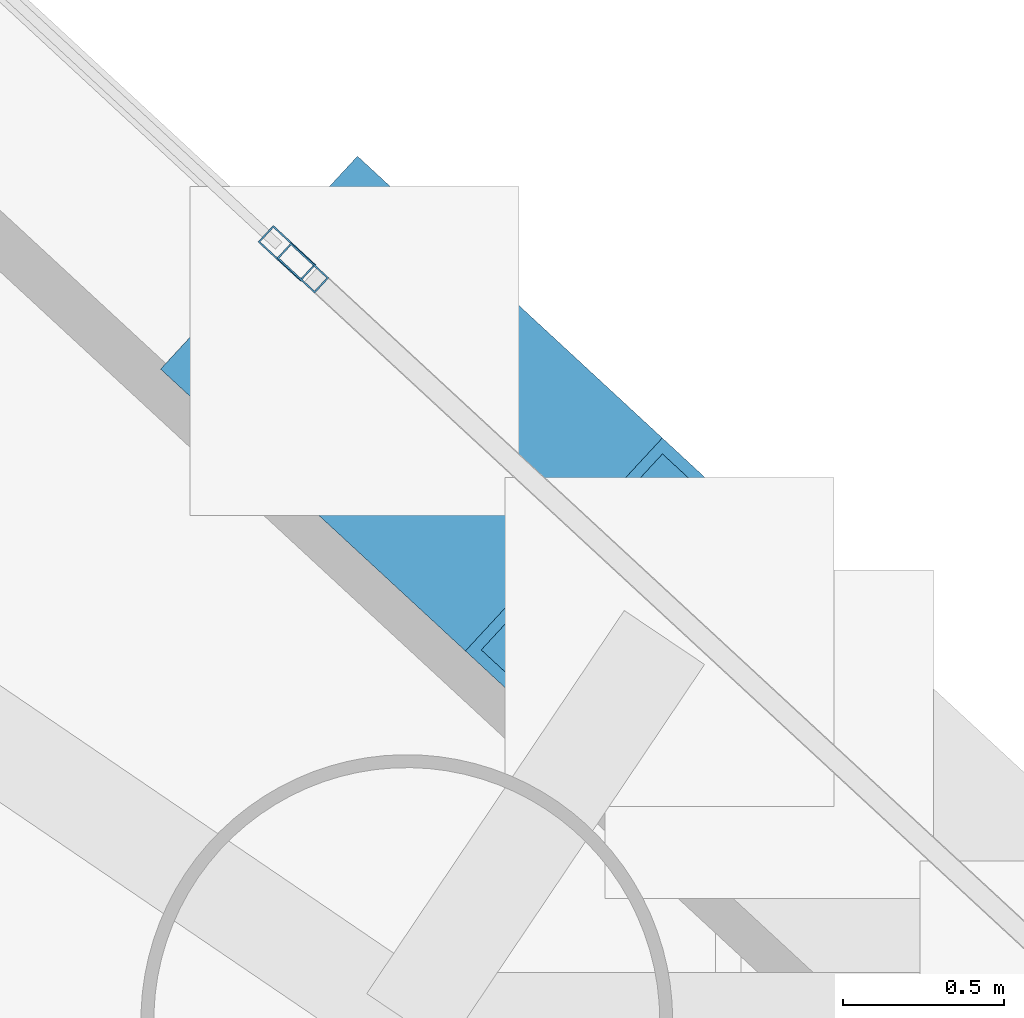
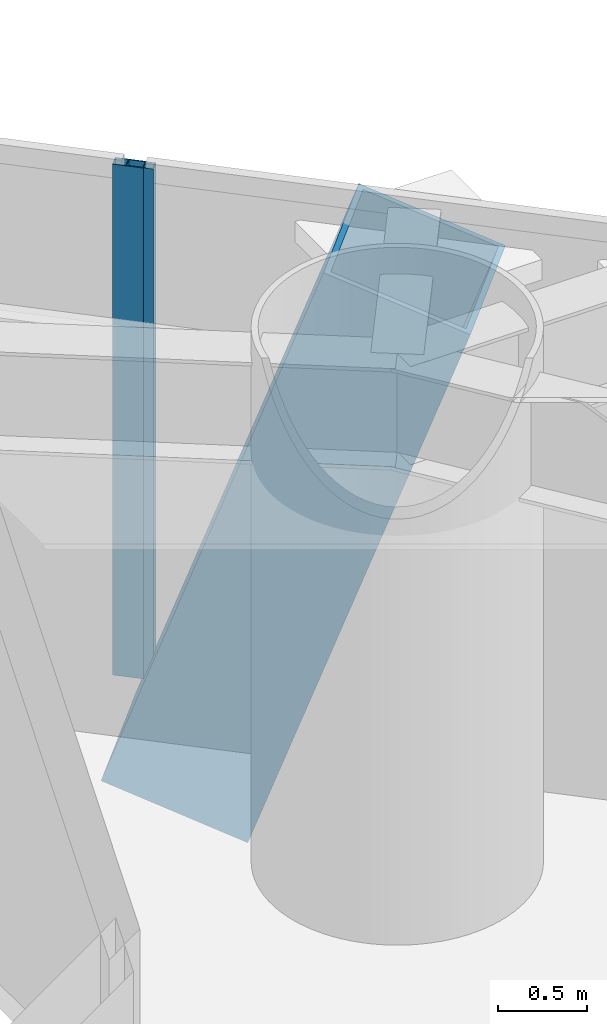
# One storey, part 12 of 23: 3 members, 2 elements without a shape of their own.
"""IFC4 building model written with IfcOpenShell, lengths in metres."""

from ifc_helpers import new_model, si_unit, direction, frame, origin, origin_2d, place, context, subcontext, project, spatial, hollow_rectangle, extrude, material, layer, layer_set, material_profile, profile_set, type_object, element, aggregate, save


model = new_model("IFC4")

# Units and contexts
model_context = context("Model", 3, precision=1e-05, world=origin(), true_north=direction((0.0, 1.0)))
body_context = subcontext(model_context, "Body", "Model", "MODEL_VIEW")
ifc_project = project(units=[si_unit("LENGTHUNIT", "METRE"), si_unit("AREAUNIT", "SQUARE_METRE"), si_unit("VOLUMEUNIT", "CUBIC_METRE"), si_unit("PLANEANGLEUNIT", "RADIAN"), si_unit("MASSUNIT", "GRAM", prefix="KILO")], contexts=[model_context])

# Site, building, storey
site_placement = place(None, origin())
site = spatial("IfcSite", under=ifc_project, at=site_placement, CompositionType="ELEMENT")
building_placement = place(site_placement, origin())
building = spatial("IfcBuilding", under=site, at=building_placement, Name="Qianvela Tower", CompositionType="ELEMENT")
storey_placement = place(building_placement, frame((0.0, 0.0, 67.300048828125)))
storey = spatial("IfcBuildingStorey", under=building, at=storey_placement, Name="L16", CompositionType="ELEMENT", Elevation=67.300048828125)

# Curtain wall, member
ifc_material_1 = material(Name="Anodised Architectural Aluminium and Insulated Spandrel Panel", Category="aluminium")
ifc_layer_1 = layer(ifc_material_1, 0.179931640625)
ifc_layer_set_1 = layer_set([ifc_layer_1], Name="Anodised Architectural Aluminium and Insulated Spandrel Panel")
curtain_wall_type_1 = type_object("IfcCurtainWallType", Name="CW-BRACEBAY", PredefinedType="USERDEFINED", material=ifc_layer_set_1)
curtain_wall_1_placement = place(storey_placement, origin())
curtain_wall_1 = element("IfcCurtainWall", 1, at=curtain_wall_1_placement, inside=storey, type_object=curtain_wall_type_1, Name="L16 CW-BRACEBAY Curtain Wall 02B", ObjectType="CURTAIN_WALL_SYSTEM", PredefinedType="USERDEFINED")
ifc_material_2 = material(Name="Anodised Architectural Aluminium 6063-T6", Category="aluminium")
ifc_material_profile_1 = material_profile(ifc_material_2, hollow_rectangle(XDim=0.06494140625, YDim=0.159912109375, WallThickness=0.0048828125, at=origin_2d()), Name="ALU-MULL-65x160")
ifc_profile_set_1 = profile_set([ifc_material_profile_1], Name="Anodised Architectural Aluminium 6063-T6")
member_type_1 = type_object("IfcMemberType", Name="CW-BRACEBAY-MULL", PredefinedType="MULLION", material=ifc_profile_set_1)
member_1_placement = place(storey_placement, frame((45.661376953125, 36.391845703125, 0.0), z_axis=(0.0, 0.0, 1.0), x_axis=(-0.678836907887, -0.734289079648, 0.0)))
member_1 = element("IfcMember", 2, at=member_1_placement, type_object=member_type_1, Name="CW-9 mullion 2", PredefinedType="MULLION", context=body_context, shape_type="SweptSolid", body=[
    extrude(hollow_rectangle(XDim=0.06494140625, YDim=0.159912109375, WallThickness=0.0048828125, at=origin_2d()), origin(), (0.0, 0.0, 1.0), 3.52001953125),
])
aggregate(curtain_wall_1, [member_1])

ifc_material_3 = material(Name="Anodised Architectural Aluminium and Low-E Glass", Category="aluminium")
ifc_layer_2 = layer(ifc_material_3, 0.179931640625)
ifc_layer_set_2 = layer_set([ifc_layer_2], Name="Anodised Architectural Aluminium and Low-E Glass")
curtain_wall_type_2 = type_object("IfcCurtainWallType", Name="CW-COLIV-Z12", PredefinedType="USERDEFINED", material=ifc_layer_set_2)
curtain_wall_2_placement = place(storey_placement, origin())
curtain_wall_2 = element("IfcCurtainWall", 3, at=curtain_wall_2_placement, inside=storey, type_object=curtain_wall_type_2, Name="L16 CW-COLIV-Z12 Curtain Wall 02C", ObjectType="CURTAIN_WALL_SYSTEM", PredefinedType="USERDEFINED")
ifc_material_4 = material(Name="Anodised Architectural Aluminium 6063-T6", Category="aluminium")
ifc_material_profile_2 = material_profile(ifc_material_4, hollow_rectangle(XDim=0.070068359375, YDim=0.179931640625, WallThickness=0.0048828125, at=origin_2d()), Name="ALU-MULL-70x180")
ifc_profile_set_2 = profile_set([ifc_material_profile_2], Name="Anodised Architectural Aluminium 6063-T6")
member_type_2 = type_object("IfcMemberType", Name="CW-COLIV-Z12-MULL", PredefinedType="MULLION", material=ifc_profile_set_2)
member_2_placement = place(storey_placement, frame((45.61181640625, 36.4375, 0.0), z_axis=(0.0, 0.0, 1.0), x_axis=(-0.678839197125, -0.734286963283, 0.0)))
member_2 = element("IfcMember", 4, at=member_2_placement, type_object=member_type_2, Name="CW-3 mullion 1", PredefinedType="MULLION", context=body_context, shape_type="SweptSolid", body=[
    extrude(hollow_rectangle(XDim=0.070068359375, YDim=0.179931640625, WallThickness=0.0048828125, at=origin_2d()), origin(), (0.0, 0.0, 1.0), 3.52001953125),
])
aggregate(curtain_wall_2, [member_2])

# Member
ifc_material_5 = material(Name="Steel Q420GJC", Category="steel")
ifc_material_profile_3 = material_profile(ifc_material_5, hollow_rectangle(XDim=0.89990234375, YDim=0.89990234375, WallThickness=0.035888671875, at=origin_2d()), Name="MBOX-900x900x36")
ifc_profile_set_3 = profile_set([ifc_material_profile_3], Name="Steel Q420GJC")
member_type_3 = type_object("IfcMemberType", Name="MBR-MBRACE-900", PredefinedType="BRACE", material=ifc_profile_set_3)
member_3_placement = place(storey_placement, frame((45.83740234375, 36.1201171875, -0.531982421875), z_axis=(0.241412833476, -0.223216512523, 0.944401520737), x_axis=(0.678893868128, 0.734236416842, 0.0)))
element("IfcMember", 5, at=member_3_placement, inside=storey, type_object=member_type_3, Name="L16 Tier 2 Exterior Mega-Brace F1B", PredefinedType="BRACE", context=body_context, shape_type="SweptSolid", body=[
    extrude(hollow_rectangle(XDim=0.89990234375, YDim=0.89990234375, WallThickness=0.035888671875, at=origin_2d()), origin(), (0.0, 0.0, 1.0), 3.917724609375),
])

save(model, "model.ifc")
